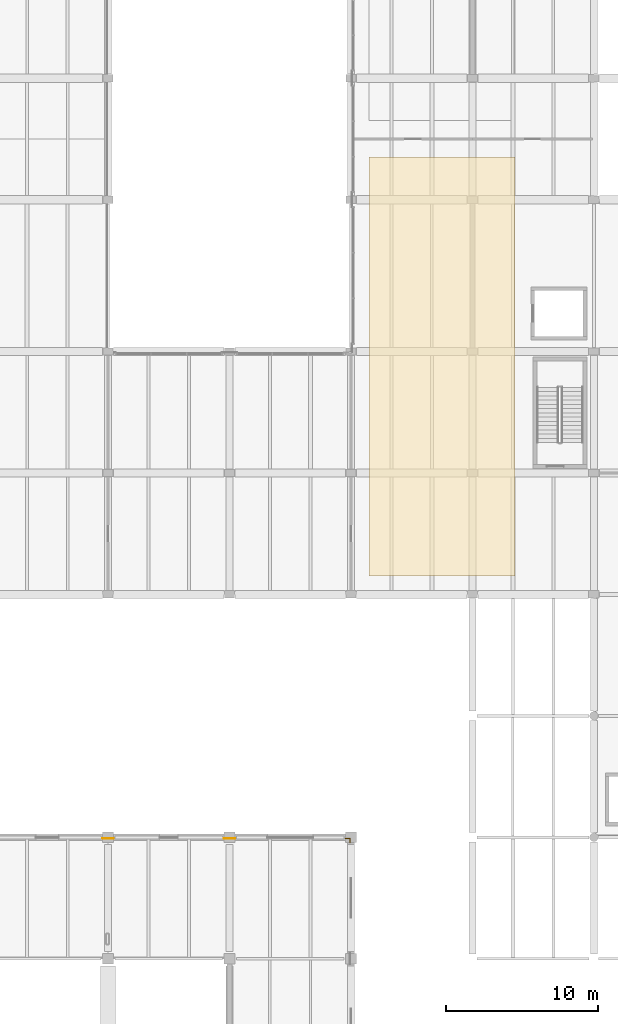
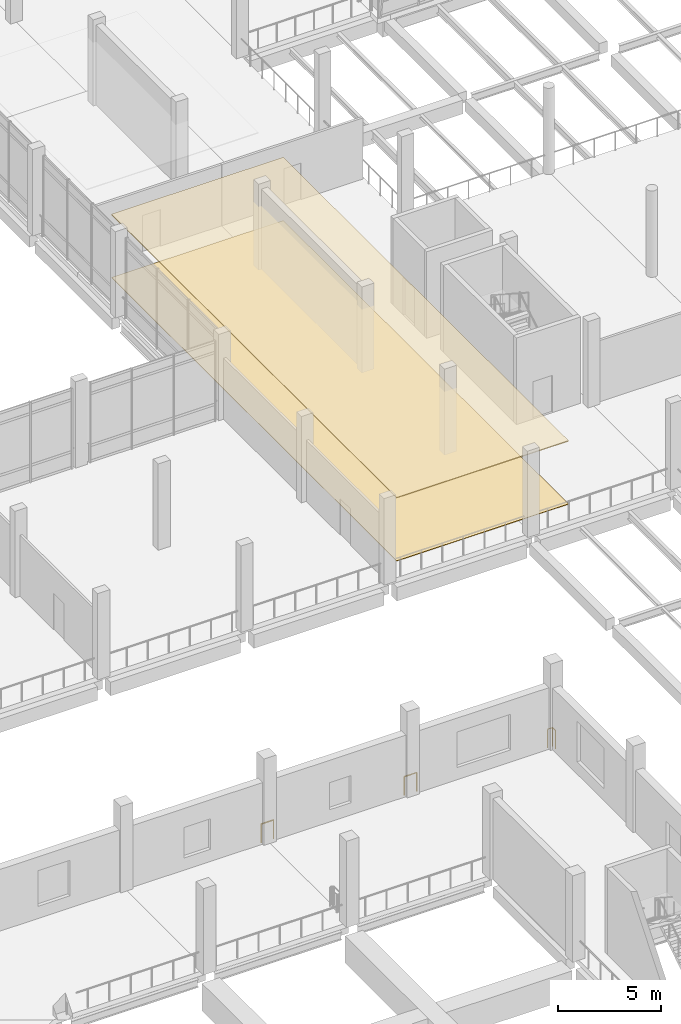
# One storey, part 45 of 61: 3 railings, 2 coverings.
"""IFC4 building model written with IfcOpenShell, lengths in metres."""

from ifc_helpers import new_model, si_unit, direction, frame, origin, origin_2d, place, context, subcontext, project, spatial, polyline, circle, outline, extrude, material, layer, layer_set, type_object, element, save


model = new_model("IFC4")

# Units and contexts
model_context = context("Model", 3, precision=1e-05, world=origin(), true_north=direction((0.0, 1.0)))
body_context = subcontext(model_context, "Body", "Model", "MODEL_VIEW")
ifc_project = project(units=[si_unit("LENGTHUNIT", "METRE"), si_unit("AREAUNIT", "SQUARE_METRE"), si_unit("VOLUMEUNIT", "CUBIC_METRE"), si_unit("PLANEANGLEUNIT", "RADIAN"), si_unit("MASSUNIT", "GRAM", prefix="KILO")], contexts=[model_context])

# Site, building, storey
site_placement = place(None, origin())
site = spatial("IfcSite", under=ifc_project, at=site_placement, CompositionType="ELEMENT")
building_placement = place(site_placement, origin())
building = spatial("IfcBuilding", under=site, at=building_placement, Name="Pecanmere Concourse Central Library", CompositionType="ELEMENT")
storey_placement = place(building_placement, frame((0.0, 0.0, 5.39990234375)))
storey = spatial("IfcBuildingStorey", under=building, at=storey_placement, Name="L02", CompositionType="ELEMENT", Elevation=5.39990234375)

# Coverings
ifc_material_1 = material(Name="Solid white oak architectural joinery")
ifc_layer_1 = layer(ifc_material_1, 0.054931640625, Name="COV_CEIL_OAK_COFF")
ifc_layer_set_1 = layer_set([ifc_layer_1], Name="Solid white oak architectural joinery")
covering_type_1 = type_object("IfcCoveringType", Name="COV_CEIL_OAK_COFF", PredefinedType="CEILING", material=ifc_layer_set_1)
covering_1_placement = place(storey_placement, frame((0.0, 0.0, 3.710205078125)))
element("IfcCovering", 1, at=covering_1_placement, inside=storey, type_object=covering_type_1, Name="Acoustic Coffered Ceiling L02-007", PredefinedType="CEILING", context=body_context, shape_type="SweptSolid", body=[
    extrude(outline(polyline([(49.199951171875, 49.199951171875), (58.800048828125, 49.199951171875), (58.800048828125, 76.800048828125), (49.199951171875, 76.800048828125), (49.199951171875, 49.199951171875)])), origin(), (0.0, 0.0, 1.0), 0.054931640625),
])
ifc_material_2 = material(Name="Solid white oak architectural joinery")
ifc_layer_2 = layer(ifc_material_2, 0.02490234375, Name="COV_FLR_OAK")
ifc_layer_set_2 = layer_set([ifc_layer_2], Name="Solid white oak architectural joinery")
covering_type_2 = type_object("IfcCoveringType", Name="COV_FLR_OAK", PredefinedType="FLOORING", material=ifc_layer_set_2)
covering_2_placement = place(storey_placement, origin())
element("IfcCovering", 2, at=covering_2_placement, inside=storey, type_object=covering_type_2, Name="Finished Flooring L02-007", PredefinedType="FLOORING", context=body_context, shape_type="SweptSolid", body=[
    extrude(outline(polyline([(49.199951171875, 49.199951171875), (58.800048828125, 49.199951171875), (58.800048828125, 76.800048828125), (49.199951171875, 76.800048828125), (49.199951171875, 49.199951171875)])), origin(), (0.0, 0.0, 1.0), 0.025146484375),
])

# Railings
ifc_material_3 = material(Name="Architectural anodized bronze")
railing_type = type_object("IfcRailingType", Name="RAIL_ATRIUM_BAL", PredefinedType="BALUSTRADE", material=ifc_material_3)
for number, where, name in (
    (3, (31.655029296875, 31.929931640625, 0.0), "Deck Edge Protective Balustrade L02-081"),
    (4, (39.655029296875, 31.929931640625, 0.0), "Deck Edge Protective Balustrade L02-082"),
):
    element("IfcRailing", number, at=place(storey_placement, frame(where)), inside=storey, type_object=railing_type, Name=name, PredefinedType="BALUSTRADE", context=body_context, shape_type="SweptSolid", body=[
        extrude(circle(Radius=0.02392578125, at=origin_2d()), frame((0.0, 0.0, 1.09619140625), z_axis=(1.0, 0.0, 0.0), x_axis=(0.0, 1.0, 0.0)), (0.0, 0.0, 1.0), 0.68994140625),
        extrude(circle(Radius=0.02099609375, at=origin_2d()), origin(), (0.0, 0.0, 1.0), 1.072021484375),
        extrude(circle(Radius=0.02099609375, at=origin_2d()), frame((0.68994140625, 0.0, 0.0)), (0.0, 0.0, 1.0), 1.072021484375),
    ])
railing_placement = place(storey_placement, frame((47.655029296875, 31.929931640625, 0.0)))
element("IfcRailing", 5, at=railing_placement, inside=storey, type_object=railing_type, Name="Deck Edge Protective Balustrade L02-083", PredefinedType="BALUSTRADE", context=body_context, shape_type="SweptSolid", body=[
    extrude(circle(Radius=0.02392578125, at=origin_2d()), frame((0.0, 0.0, 1.09619140625), z_axis=(1.0, 0.0, 0.0), x_axis=(0.0, 1.0, 0.0)), (0.0, 0.0, 1.0), 0.274658203125),
    extrude(circle(Radius=0.02392578125, at=origin_2d()), frame((0.274658203125, 0.0, 1.09619140625), z_axis=(0.0, -1.0, 0.0), x_axis=(1.0, 0.0, 0.0)), (0.0, 0.0, 1.0), 0.27490234375),
    extrude(circle(Radius=0.02099609375, at=origin_2d()), origin(), (0.0, 0.0, 1.0), 1.072021484375),
    extrude(circle(Radius=0.02099609375, at=origin_2d()), frame((0.274658203125, 0.0, 0.0)), (0.0, 0.0, 1.0), 1.072021484375),
    extrude(circle(Radius=0.02099609375, at=origin_2d()), frame((0.274658203125, -0.27490234375, 0.0)), (0.0, 0.0, 1.0), 1.072021484375),
])

save(model, "model.ifc")
